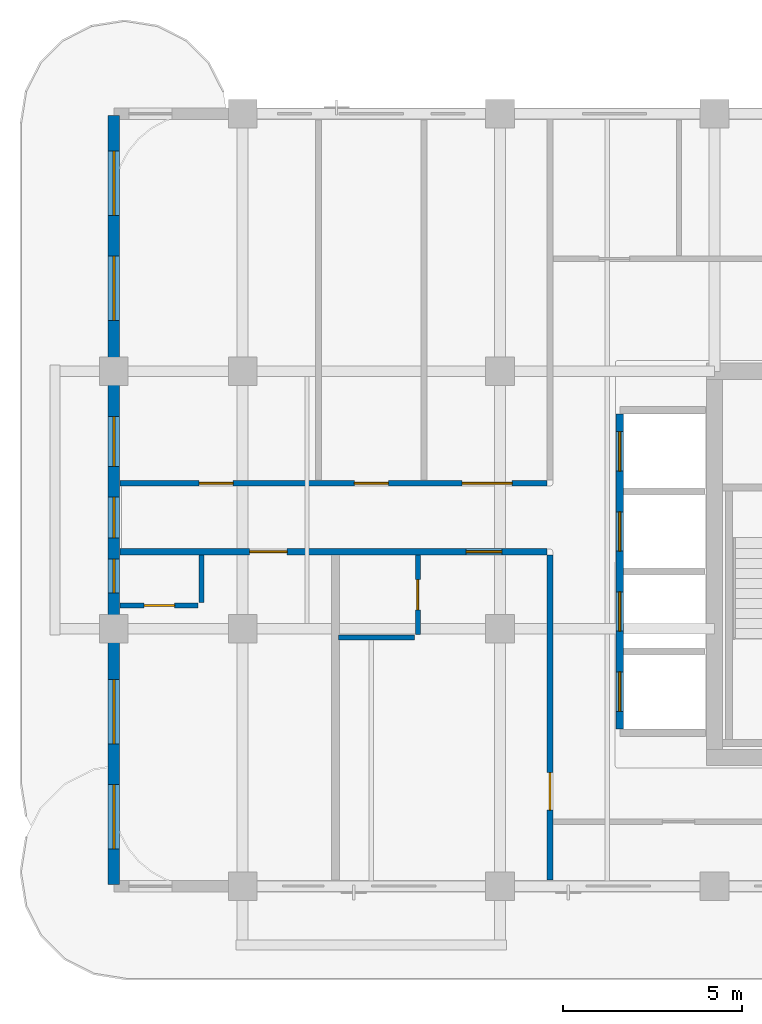
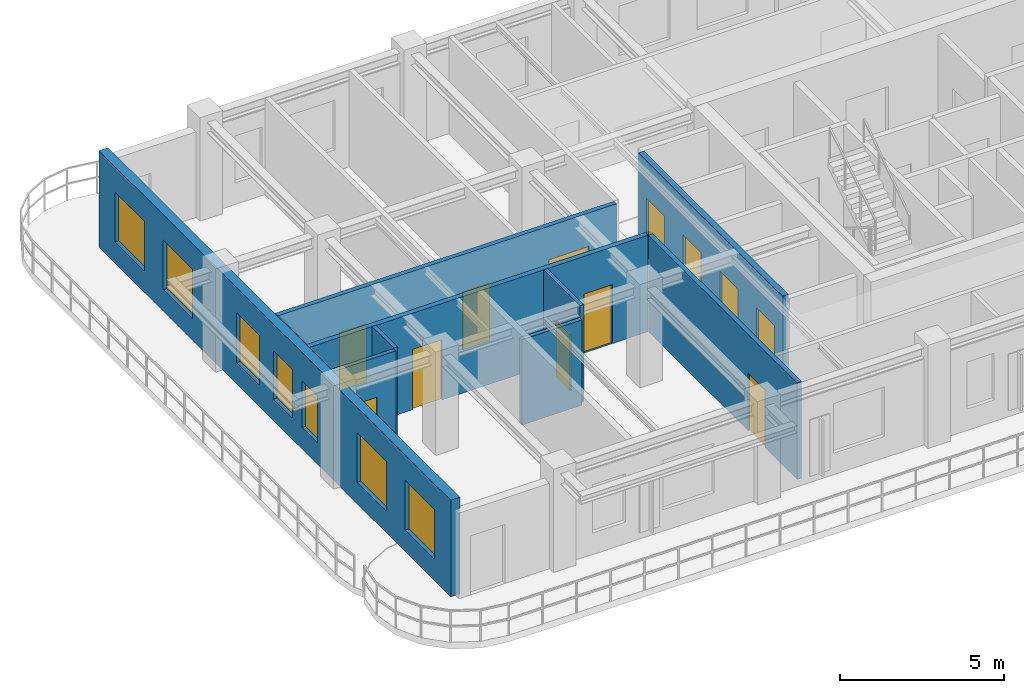
# One storey, part 2 of 8: 12 doors, 9 walls, 7 windows, 19 openings.
"""IFC4 building model written with IfcOpenShell, lengths in metres."""

from ifc_helpers import new_model, si_unit, derived_unit, direction, frame, frame_2d, origin, place, context, subcontext, project, spatial, rectangle, extrude, source, transform, mapped, material, layer, layer_set, type_object, type_shapes, element, fill, save


model = new_model("IFC4")

# Units and contexts
model_context = context("Model", 3, precision=1e-05, world=origin(), true_north=direction((0.0, 1.0)))
body_context = subcontext(model_context, "Body", "Model", "MODEL_VIEW")
ifc_project = project(units=[si_unit("LENGTHUNIT", "METRE"), si_unit("AREAUNIT", "SQUARE_METRE"), si_unit("VOLUMEUNIT", "CUBIC_METRE"), si_unit("PLANEANGLEUNIT", "RADIAN"), si_unit("MASSUNIT", "GRAM", prefix="KILO"), si_unit("THERMODYNAMICTEMPERATUREUNIT", "KELVIN"), si_unit("POWERUNIT", "WATT"), derived_unit("THERMALTRANSMITTANCEUNIT", [(si_unit("POWERUNIT", "WATT"), 1), (si_unit("AREAUNIT", "SQUARE_METRE"), -1), (si_unit("THERMODYNAMICTEMPERATUREUNIT", "KELVIN"), -1)])], contexts=[model_context])

# Site, building, storey
site_placement = place(None, origin())
site = spatial("IfcSite", under=ifc_project, at=site_placement, CompositionType="ELEMENT")
building_placement = place(site_placement, origin())
building = spatial("IfcBuilding", under=site, at=building_placement, Name="Zahravan Archway Hotel and Residences", CompositionType="ELEMENT")
storey_placement = place(building_placement, frame((0.0, 0.0, 263.5)))
storey = spatial("IfcBuildingStorey", under=building, at=storey_placement, Name="L66", CompositionType="ELEMENT", Elevation=263.5)

# Wall, openings, windows
ifc_material_1 = material(Name="Agra Buff Sandstone & Insulated Backup", Category="masonry")
ifc_layer_1 = layer(ifc_material_1, 0.320068359375, Name="Agra Buff Sandstone & Insulated Backup", Category="masonry")
ifc_layer_set_1 = layer_set([ifc_layer_1], Name="Agra Buff Sandstone & Insulated Backup")
wall_type_1 = type_object("IfcWallType", Name="EW-SAND-320", PredefinedType="SOLIDWALL", material=ifc_layer_set_1)
wall_1_placement = place(storey_placement, frame((18.0, 0.050048828125, 0.0), z_axis=(0.0, 0.0, 1.0), x_axis=(0.0, 1.0, 0.0)))
wall_1 = element("IfcWall", 1, at=wall_1_placement, inside=storey, type_object=wall_type_1, Name="L66 Exterior Sandstone Wall WA-W", PredefinedType="SOLIDWALL", context=body_context, shape_type="SweptSolid", body=[
    extrude(rectangle(XDim=21.5, YDim=0.320068359375, at=frame_2d((10.75, 0.0))), origin(), (0.0, 0.0, 1.0), 3.60009765625),
])
opening_1_placement = place(wall_1_placement, frame((0.989990234375, 0.0, 0.800048828125)))
opening_1 = element("IfcOpeningElement", 2, at=opening_1_placement, cuts=wall_1, Name="Opening W-02", PredefinedType="OPENING", context=body_context, shape_type="SweptSolid", body=[
    extrude(rectangle(XDim=1.800048828125, YDim=1.85009765625, at=frame_2d((0.89990234375, 0.925048828125))), frame((0.0, 0.169921875, 0.0), z_axis=(0.0, -1.0, 0.0), x_axis=(1.0, 0.0, 0.0)), (0.0, 0.0, 1.0), 0.340087890625),
])
opening_2_placement = place(wall_1_placement, frame((3.929931640625, 0.0, 0.800048828125)))
opening_2 = element("IfcOpeningElement", 3, at=opening_2_placement, cuts=wall_1, Name="Opening W-02", PredefinedType="OPENING", context=body_context, shape_type="SweptSolid", body=[
    extrude(rectangle(XDim=1.800048828125, YDim=1.85009765625, at=frame_2d((0.89990234375, 0.925048828125))), frame((0.0, 0.169921875, 0.0), z_axis=(0.0, -1.0, 0.0), x_axis=(1.0, 0.0, 0.0)), (0.0, 0.0, 1.0), 0.340087890625),
])
opening_3_placement = place(wall_1_placement, frame((8.14599609375, 0.0, 0.800048828125)))
opening_3 = element("IfcOpeningElement", 4, at=opening_3_placement, cuts=wall_1, Name="Opening W-04", PredefinedType="OPENING", context=body_context, shape_type="SweptSolid", body=[
    extrude(rectangle(XDim=0.949951171875, YDim=1.75, at=frame_2d((0.47509765625, 0.875))), frame((0.0, 0.169921875, 0.0), z_axis=(0.0, -1.0, 0.0), x_axis=(1.0, 0.0, 0.0)), (0.0, 0.0, 1.0), 0.340087890625),
])
opening_4_placement = place(wall_1_placement, frame((9.68505859375, 0.0, 0.800048828125)))
opening_4 = element("IfcOpeningElement", 5, at=opening_4_placement, cuts=wall_1, Name="Opening W-05", PredefinedType="OPENING", context=body_context, shape_type="SweptSolid", body=[
    extrude(rectangle(XDim=1.14990234375, YDim=1.800048828125, at=frame_2d((0.574951171875, 0.89990234375))), frame((0.0, 0.169921875, 0.0), z_axis=(0.0, -1.0, 0.0), x_axis=(1.0, 0.0, 0.0)), (0.0, 0.0, 1.0), 0.340087890625),
])
opening_5_placement = place(wall_1_placement, frame((11.68896484375, 0.0, 0.800048828125)))
opening_5 = element("IfcOpeningElement", 6, at=opening_5_placement, cuts=wall_1, Name="Opening W-03", PredefinedType="OPENING", context=body_context, shape_type="SweptSolid", body=[
    extrude(rectangle(XDim=1.39990234375, YDim=1.85009765625, at=frame_2d((0.699951171875, 0.925048828125))), frame((0.0, 0.169921875, 0.0), z_axis=(0.0, -1.0, 0.0), x_axis=(1.0, 0.0, 0.0)), (0.0, 0.0, 1.0), 0.340087890625),
])
opening_6_placement = place(wall_1_placement, frame((15.77001953125, 0.0, 0.800048828125)))
opening_6 = element("IfcOpeningElement", 7, at=opening_6_placement, cuts=wall_1, Name="Opening W-02", PredefinedType="OPENING", context=body_context, shape_type="SweptSolid", body=[
    extrude(rectangle(XDim=1.800048828125, YDim=1.85009765625, at=frame_2d((0.89990234375, 0.925048828125))), frame((0.0, 0.169921875, 0.0), z_axis=(0.0, -1.0, 0.0), x_axis=(1.0, 0.0, 0.0)), (0.0, 0.0, 1.0), 0.340087890625),
])
opening_7_placement = place(wall_1_placement, frame((18.7099609375, 0.0, 0.800048828125)))
opening_7 = element("IfcOpeningElement", 8, at=opening_7_placement, cuts=wall_1, Name="Opening W-02", PredefinedType="OPENING", context=body_context, shape_type="SweptSolid", body=[
    extrude(rectangle(XDim=1.800048828125, YDim=1.85009765625, at=frame_2d((0.89990234375, 0.925048828125))), frame((0.0, 0.169921875, 0.0), z_axis=(0.0, -1.0, 0.0), x_axis=(1.0, 0.0, 0.0)), (0.0, 0.0, 1.0), 0.340087890625),
])
ifc_material_2 = material(Name="Bronze-Anodized Thermal-Break Aluminium & Low-E Glass", Category="aluminium")
window_type_1 = type_object("IfcWindowType", Name="WIN-TWR-1400", PartitioningType="SINGLE_PANEL", PredefinedType="WINDOW", material=ifc_material_2)
shared_shape_1 = source(origin(), body_context, "Body", "SweptSolid", [
    extrude(rectangle(XDim=1.39990234375, YDim=1.85009765625, at=frame_2d((0.699951171875, 0.925048828125))), frame((0.0, 0.030029296875, 0.0), z_axis=(0.0, -1.0, 0.0), x_axis=(1.0, 0.0, 0.0)), (0.0, 0.0, 1.0), 0.06005859375),
])
type_shapes(window_type_1, [shared_shape_1])
window_1_placement = place(opening_5_placement, origin())
window_1 = element("IfcWindow", 9, at=window_1_placement, inside=storey, type_object=window_type_1, Name="L66 Loggia Window 21", OverallHeight=1.85009765625, OverallWidth=1.39990234375, PartitioningType="SINGLE_PANEL", PredefinedType="WINDOW", context=body_context, shape_type="MappedRepresentation", body=[
    mapped(shared_shape_1, transform((0.0, 0.0, 0.0), scale=1.0)),
])
fill(opening_5, window_1)
window_type_2 = type_object("IfcWindowType", Name="WIN-NAR-950", PartitioningType="SINGLE_PANEL", PredefinedType="WINDOW", material=ifc_material_2)
shared_shape_2 = source(origin(), body_context, "Body", "SweptSolid", [
    extrude(rectangle(XDim=0.949951171875, YDim=1.75, at=frame_2d((0.47509765625, 0.875))), frame((0.0, 0.030029296875, 0.0), z_axis=(0.0, -1.0, 0.0), x_axis=(1.0, 0.0, 0.0)), (0.0, 0.0, 1.0), 0.06005859375),
])
type_shapes(window_type_2, [shared_shape_2])
window_2_placement = place(opening_3_placement, origin())
window_2 = element("IfcWindow", 10, at=window_2_placement, inside=storey, type_object=window_type_2, Name="L66 Loggia Window 19", OverallHeight=1.75, OverallWidth=0.949951171875, PartitioningType="SINGLE_PANEL", PredefinedType="WINDOW", context=body_context, shape_type="MappedRepresentation", body=[
    mapped(shared_shape_2, transform((0.0, 0.0, 0.0), scale=1.0)),
])
fill(opening_3, window_2)
window_type_3 = type_object("IfcWindowType", Name="WIN-TWR-1800", PartitioningType="DOUBLE_PANEL_VERTICAL", PredefinedType="WINDOW", material=ifc_material_2)
shared_shape_3 = source(origin(), body_context, "Body", "SweptSolid", [
    extrude(rectangle(XDim=1.800048828125, YDim=1.85009765625, at=frame_2d((0.89990234375, 0.925048828125))), frame((0.0, 0.030029296875, 0.0), z_axis=(0.0, -1.0, 0.0), x_axis=(1.0, 0.0, 0.0)), (0.0, 0.0, 1.0), 0.06005859375),
])
type_shapes(window_type_3, [shared_shape_3])
window_3_placement = place(opening_1_placement, origin())
window_3 = element("IfcWindow", 11, at=window_3_placement, inside=storey, type_object=window_type_3, Name="L66 Loggia Window 17", OverallHeight=1.85009765625, OverallWidth=1.800048828125, PartitioningType="DOUBLE_PANEL_VERTICAL", PredefinedType="WINDOW", context=body_context, shape_type="MappedRepresentation", body=[
    mapped(shared_shape_3, transform((0.0, 0.0, 0.0), scale=1.0)),
])
fill(opening_1, window_3)
window_4_placement = place(opening_2_placement, origin())
window_4 = element("IfcWindow", 12, at=window_4_placement, inside=storey, type_object=window_type_3, Name="L66 Loggia Window 18", OverallHeight=1.85009765625, OverallWidth=1.800048828125, PartitioningType="DOUBLE_PANEL_VERTICAL", PredefinedType="WINDOW", context=body_context, shape_type="MappedRepresentation", body=[
    mapped(shared_shape_3, transform((0.0, 0.0, 0.0), scale=1.0)),
])
fill(opening_2, window_4)
window_5_placement = place(opening_6_placement, origin())
window_5 = element("IfcWindow", 13, at=window_5_placement, inside=storey, type_object=window_type_3, Name="L66 Loggia Window 22", OverallHeight=1.85009765625, OverallWidth=1.800048828125, PartitioningType="DOUBLE_PANEL_VERTICAL", PredefinedType="WINDOW", context=body_context, shape_type="MappedRepresentation", body=[
    mapped(shared_shape_3, transform((0.0, 0.0, 0.0), scale=1.0)),
])
fill(opening_6, window_5)
window_6_placement = place(opening_7_placement, origin())
window_6 = element("IfcWindow", 14, at=window_6_placement, inside=storey, type_object=window_type_3, Name="L66 Loggia Window 23", OverallHeight=1.85009765625, OverallWidth=1.800048828125, PartitioningType="DOUBLE_PANEL_VERTICAL", PredefinedType="WINDOW", context=body_context, shape_type="MappedRepresentation", body=[
    mapped(shared_shape_3, transform((0.0, 0.0, 0.0), scale=1.0)),
])
fill(opening_7, window_6)
window_type_4 = type_object("IfcWindowType", Name="WIN-TWR-1150", PartitioningType="SINGLE_PANEL", PredefinedType="WINDOW", material=ifc_material_2)
shared_shape_4 = source(origin(), body_context, "Body", "SweptSolid", [
    extrude(rectangle(XDim=1.14990234375, YDim=1.800048828125, at=frame_2d((0.574951171875, 0.89990234375))), frame((0.0, 0.030029296875, 0.0), z_axis=(0.0, -1.0, 0.0), x_axis=(1.0, 0.0, 0.0)), (0.0, 0.0, 1.0), 0.06005859375),
])
type_shapes(window_type_4, [shared_shape_4])
window_7_placement = place(opening_4_placement, origin())
window_7 = element("IfcWindow", 15, at=window_7_placement, inside=storey, type_object=window_type_4, Name="L66 Loggia Window 20", OverallHeight=1.800048828125, OverallWidth=1.14990234375, PartitioningType="SINGLE_PANEL", PredefinedType="WINDOW", context=body_context, shape_type="MappedRepresentation", body=[
    mapped(shared_shape_4, transform((0.0, 0.0, 0.0), scale=1.0)),
])
fill(opening_4, window_7)

# Wall, openings, doors
ifc_material_3 = material(Name="Fire-Rated Gypsum & Concrete Block", Category="concrete")
ifc_layer_2 = layer(ifc_material_3, 0.159912109375, Name="Fire-Rated Gypsum & Concrete Block", Category="concrete")
ifc_layer_set_2 = layer_set([ifc_layer_2], Name="Fire-Rated Gypsum & Concrete Block")
wall_type_2 = type_object("IfcWallType", Name="PW-CORR-160", PredefinedType="PARTITIONING", material=ifc_layer_set_2)
wall_2_placement = place(storey_placement, frame((18.16796875, 11.27001953125, 0.0), z_axis=(0.0, 0.0, 1.0), x_axis=(1.0, 0.0, 0.0)))
wall_2 = element("IfcWall", 16, at=wall_2_placement, inside=storey, type_object=wall_type_2, Name="L66 Partition WA-CN", PredefinedType="PARTITIONING", context=body_context, shape_type="SweptSolid", body=[
    extrude(rectangle(XDim=11.942138671875, YDim=0.159912109375, at=frame_2d((5.97119140625, 0.0))), origin(), (0.0, 0.0, 1.0), 3.60009765625),
])
opening_8_placement = place(wall_2_placement, frame((2.217041015625, 0.0, 0.0)))
opening_8 = element("IfcOpeningElement", 17, at=opening_8_placement, cuts=wall_2, Name="Opening D-I1", PredefinedType="OPENING", context=body_context, shape_type="SweptSolid", body=[
    extrude(rectangle(XDim=0.949951171875, YDim=2.14990234375, at=frame_2d((0.47509765625, 1.074951171875))), frame((0.0, 0.08984375, 0.0), z_axis=(0.0, -1.0, 0.0), x_axis=(1.0, 0.0, 0.0)), (0.0, 0.0, 1.0), 0.179931640625),
])
opening_9_placement = place(wall_2_placement, frame((6.556884765625, 0.0, 0.0)))
opening_9 = element("IfcOpeningElement", 18, at=opening_9_placement, cuts=wall_2, Name="Opening D-I1", PredefinedType="OPENING", context=body_context, shape_type="SweptSolid", body=[
    extrude(rectangle(XDim=0.949951171875, YDim=2.14990234375, at=frame_2d((0.47509765625, 1.074951171875))), frame((0.0, 0.08984375, 0.0), z_axis=(0.0, -1.0, 0.0), x_axis=(1.0, 0.0, 0.0)), (0.0, 0.0, 1.0), 0.179931640625),
])
opening_10_placement = place(wall_2_placement, frame((9.572021484375, 0.0, 0.0)))
opening_10 = element("IfcOpeningElement", 19, at=opening_10_placement, cuts=wall_2, Name="Opening D-P1", PredefinedType="OPENING", context=body_context, shape_type="SweptSolid", body=[
    extrude(rectangle(XDim=1.39990234375, YDim=2.35009765625, at=frame_2d((0.699951171875, 1.175048828125))), frame((0.0, 0.08984375, 0.0), z_axis=(0.0, -1.0, 0.0), x_axis=(1.0, 0.0, 0.0)), (0.0, 0.0, 1.0), 0.179931640625),
])
ifc_material_4 = material(Name="Bronze-Anodized Glazed Aluminium", Category="aluminium")
door_type_1 = type_object("IfcDoorType", Name="ID-PUBLIC-1400", OperationType="DOUBLE_DOOR_SINGLE_SWING", PredefinedType="DOOR", material=ifc_material_4)
shared_shape_5 = source(origin(), body_context, "Body", "SweptSolid", [
    extrude(rectangle(XDim=1.39990234375, YDim=2.35009765625, at=frame_2d((0.699951171875, 1.175048828125))), frame((0.0, 0.02490234375, 0.0), z_axis=(0.0, -1.0, 0.0), x_axis=(1.0, 0.0, 0.0)), (0.0, 0.0, 1.0), 0.050048828125),
])
type_shapes(door_type_1, [shared_shape_5])
door_1_placement = place(opening_10_placement, origin())
door_1 = element("IfcDoor", 20, at=door_1_placement, inside=storey, type_object=door_type_1, Name="L66 North Dining Door", OperationType="DOUBLE_DOOR_SINGLE_SWING", OverallHeight=2.35009765625, OverallWidth=1.39990234375, PredefinedType="DOOR", context=body_context, shape_type="MappedRepresentation", body=[
    mapped(shared_shape_5, transform((0.0, 0.0, 0.0), scale=1.0)),
])
fill(opening_10, door_1)
ifc_material_5 = material(Name="Hardwood Veneer Timber", Category="wood")
door_type_2 = type_object("IfcDoorType", Name="ID-INT-950", OperationType="NOTDEFINED", PredefinedType="DOOR", material=ifc_material_5)
shared_shape_6 = source(origin(), body_context, "Body", "SweptSolid", [
    extrude(rectangle(XDim=0.949951171875, YDim=2.14990234375, at=frame_2d((0.47509765625, 1.074951171875))), frame((0.0, 0.02490234375, 0.0), z_axis=(0.0, -1.0, 0.0), x_axis=(1.0, 0.0, 0.0)), (0.0, 0.0, 1.0), 0.050048828125),
])
type_shapes(door_type_2, [shared_shape_6])
door_2_placement = place(opening_8_placement, origin())
door_2 = element("IfcDoor", 21, at=door_2_placement, inside=storey, type_object=door_type_2, Name="L66 North Study Door", OperationType="SINGLE_SWING_LEFT", OverallHeight=2.14990234375, OverallWidth=0.949951171875, PredefinedType="DOOR", context=body_context, shape_type="MappedRepresentation", body=[
    mapped(shared_shape_6, transform((0.0, 0.0, 0.0), scale=1.0)),
])
fill(opening_8, door_2)
door_3_placement = place(opening_9_placement, origin())
door_3 = element("IfcDoor", 22, at=door_3_placement, inside=storey, type_object=door_type_2, Name="L66 North Clinic Door", OperationType="SINGLE_SWING_RIGHT", OverallHeight=2.14990234375, OverallWidth=0.949951171875, PredefinedType="DOOR", context=body_context, shape_type="MappedRepresentation", body=[
    mapped(shared_shape_6, transform((0.0, 0.0, 0.0), scale=1.0)),
])
fill(opening_9, door_3)

# Wall, opening, door
wall_3_placement = place(storey_placement, frame((30.199951171875, 0.16796875, 0.0), z_axis=(0.0, 0.0, 1.0), x_axis=(0.0, 1.0, 0.0)))
wall_3 = element("IfcWall", 23, at=wall_3_placement, inside=storey, type_object=wall_type_2, Name="L66 Partition WA-SRW", PredefinedType="PARTITIONING", context=body_context, shape_type="SweptSolid", body=[
    extrude(rectangle(XDim=9.092041015625, YDim=0.159912109375, at=frame_2d((4.5458984375, 0.0))), origin(), (0.0, 0.0, 1.0), 3.60009765625),
])
opening_11_placement = place(wall_3_placement, frame((1.95703125, 0.0, 0.0)))
opening_11 = element("IfcOpeningElement", 24, at=opening_11_placement, cuts=wall_3, Name="Opening FD-L2", PredefinedType="OPENING", context=body_context, shape_type="SweptSolid", body=[
    extrude(rectangle(XDim=1.050048828125, YDim=2.14990234375, at=frame_2d((0.52490234375, 1.074951171875))), frame((0.0, 0.08984375, 0.0), z_axis=(0.0, -1.0, 0.0), x_axis=(1.0, 0.0, 0.0)), (0.0, 0.0, 1.0), 0.179931640625),
])
ifc_material_6 = material(Name="Fire-Rated Painted Steel", Category="steel")
door_type_3 = type_object("IfcDoorType", Name="FD-LOBBY-1100", OperationType="NOTDEFINED", PredefinedType="DOOR", material=ifc_material_6)
shared_shape_7 = source(origin(), body_context, "Body", "SweptSolid", [
    extrude(rectangle(XDim=1.050048828125, YDim=2.14990234375, at=frame_2d((0.52490234375, 1.074951171875))), frame((0.0, 0.02490234375, 0.0), z_axis=(0.0, -1.0, 0.0), x_axis=(1.0, 0.0, 0.0)), (0.0, 0.0, 1.0), 0.050048828125),
])
type_shapes(door_type_3, [shared_shape_7])
door_4_placement = place(opening_11_placement, origin())
door_4 = element("IfcDoor", 25, at=door_4_placement, inside=storey, type_object=door_type_3, Name="L66 South Riser Corridor Door", OperationType="SINGLE_SWING_RIGHT", OverallHeight=2.14990234375, OverallWidth=1.050048828125, PredefinedType="DOOR", context=body_context, shape_type="MappedRepresentation", body=[
    mapped(shared_shape_7, transform((0.0, 0.0, 0.0), scale=1.0)),
])
fill(opening_11, door_4)

# Wall, openings, doors
ifc_layer_3 = layer(ifc_material_3, 0.179931640625, Name="Fire-Rated Gypsum & Concrete Block", Category="concrete")
ifc_layer_set_3 = layer_set([ifc_layer_3], Name="Fire-Rated Gypsum & Concrete Block")
wall_type_3 = type_object("IfcWallType", Name="PW-CORR-180", PredefinedType="PARTITIONING", material=ifc_layer_set_3)
wall_4_placement = place(storey_placement, frame((18.16796875, 9.35009765625, 0.0), z_axis=(0.0, 0.0, 1.0), x_axis=(1.0, 0.0, 0.0)))
wall_4 = element("IfcWall", 26, at=wall_4_placement, inside=storey, type_object=wall_type_3, Name="L66 Partition WA-CS", PredefinedType="PARTITIONING", context=body_context, shape_type="SweptSolid", body=[
    extrude(rectangle(XDim=11.942138671875, YDim=0.179931640625, at=frame_2d((5.97119140625, 0.0))), origin(), (0.0, 0.0, 1.0), 3.60009765625),
])
opening_12_placement = place(wall_4_placement, frame((3.632080078125, 0.0, 0.0)))
opening_12 = element("IfcOpeningElement", 27, at=opening_12_placement, cuts=wall_4, Name="Opening D-U1", PredefinedType="OPENING", context=body_context, shape_type="SweptSolid", body=[
    extrude(rectangle(XDim=1.050048828125, YDim=2.25, at=frame_2d((0.52490234375, 1.125))), frame((0.0, 0.10009765625, 0.0), z_axis=(0.0, -1.0, 0.0), x_axis=(1.0, 0.0, 0.0)), (0.0, 0.0, 1.0), 0.199951171875),
])
opening_13_placement = place(wall_4_placement, frame((9.681884765625, 0.0, 0.0)))
opening_13 = element("IfcOpeningElement", 28, at=opening_13_placement, cuts=wall_4, Name="Opening D-U2", PredefinedType="OPENING", context=body_context, shape_type="SweptSolid", body=[
    extrude(rectangle(XDim=1.0, YDim=2.199951171875, at=frame_2d((0.5, 1.10009765625))), frame((0.0, 0.10009765625, 0.0), z_axis=(0.0, -1.0, 0.0), x_axis=(1.0, 0.0, 0.0)), (0.0, 0.0, 1.0), 0.199951171875),
])
door_type_4 = type_object("IfcDoorType", Name="ID-UNIT-1050", OperationType="NOTDEFINED", PredefinedType="DOOR", material=ifc_material_5)
shared_shape_8 = source(origin(), body_context, "Body", "SweptSolid", [
    extrude(rectangle(XDim=1.050048828125, YDim=2.25, at=frame_2d((0.52490234375, 1.125))), frame((0.0, 0.02490234375, 0.0), z_axis=(0.0, -1.0, 0.0), x_axis=(1.0, 0.0, 0.0)), (0.0, 0.0, 1.0), 0.050048828125),
])
type_shapes(door_type_4, [shared_shape_8])
door_5_placement = place(opening_12_placement, origin())
door_5 = element("IfcDoor", 29, at=door_5_placement, inside=storey, type_object=door_type_4, Name="L66 Hotel Guestroom 92 Entrance Door", OperationType="SINGLE_SWING_RIGHT", OverallHeight=2.25, OverallWidth=1.050048828125, PredefinedType="DOOR", context=body_context, shape_type="MappedRepresentation", body=[
    mapped(shared_shape_8, transform((0.0, 0.0, 0.0), scale=1.0)),
])
fill(opening_12, door_5)
door_type_5 = type_object("IfcDoorType", Name="ID-UNIT-1000", OperationType="NOTDEFINED", PredefinedType="DOOR", material=ifc_material_5)
shared_shape_9 = source(origin(), body_context, "Body", "SweptSolid", [
    extrude(rectangle(XDim=1.0, YDim=2.199951171875, at=frame_2d((0.5, 1.10009765625))), frame((0.0, 0.02490234375, 0.0), z_axis=(0.0, -1.0, 0.0), x_axis=(1.0, 0.0, 0.0)), (0.0, 0.0, 1.0), 0.050048828125),
])
type_shapes(door_type_5, [shared_shape_9])
door_6_placement = place(opening_13_placement, origin())
door_6 = element("IfcDoor", 30, at=door_6_placement, inside=storey, type_object=door_type_5, Name="L66 Hotel Guestroom 93 Entrance Door", OperationType="SINGLE_SWING_RIGHT", OverallHeight=2.199951171875, OverallWidth=1.0, PredefinedType="DOOR", context=body_context, shape_type="MappedRepresentation", body=[
    mapped(shared_shape_9, transform((0.0, 0.0, 0.0), scale=1.0)),
])
fill(opening_13, door_6)

ifc_layer_4 = layer(ifc_material_3, 0.199951171875, Name="Fire-Rated Gypsum & Concrete Block", Category="concrete")
ifc_layer_set_4 = layer_set([ifc_layer_4], Name="Fire-Rated Gypsum & Concrete Block")
wall_type_4 = type_object("IfcWallType", Name="PW-SHAFT-200", PredefinedType="PARTITIONING", material=ifc_layer_set_4)
wall_5_placement = place(storey_placement, frame((32.14990234375, 4.389892578125, 0.0), z_axis=(0.0, 0.0, 1.0), x_axis=(0.0, 1.0, 0.0)))
wall_5 = element("IfcWall", 31, at=wall_5_placement, inside=storey, type_object=wall_type_4, Name="L66 Partition B3-W", PredefinedType="PARTITIONING", context=body_context, shape_type="SweptSolid", body=[
    extrude(rectangle(XDim=8.820068359375, YDim=0.199951171875, at=frame_2d((4.41015625, 0.0))), origin(), (0.0, 0.0, 1.0), 3.60009765625),
])
opening_14_placement = place(wall_5_placement, frame((0.5, 0.0, 0.0)))
opening_14 = element("IfcOpeningElement", 32, at=opening_14_placement, cuts=wall_5, Name="Opening LD", PredefinedType="OPENING", context=body_context, shape_type="SweptSolid", body=[
    extrude(rectangle(XDim=1.10009765625, YDim=2.199951171875, at=frame_2d((0.550048828125, 1.10009765625))), frame((0.0, 0.10986328125, 0.0), z_axis=(0.0, -1.0, 0.0), x_axis=(1.0, 0.0, 0.0)), (0.0, 0.0, 1.0), 0.219970703125),
])
opening_15_placement = place(wall_5_placement, frame((2.739990234375, 0.0, 0.0)))
opening_15 = element("IfcOpeningElement", 33, at=opening_15_placement, cuts=wall_5, Name="Opening LD", PredefinedType="OPENING", context=body_context, shape_type="SweptSolid", body=[
    extrude(rectangle(XDim=1.10009765625, YDim=2.199951171875, at=frame_2d((0.550048828125, 1.10009765625))), frame((0.0, 0.10986328125, 0.0), z_axis=(0.0, -1.0, 0.0), x_axis=(1.0, 0.0, 0.0)), (0.0, 0.0, 1.0), 0.219970703125),
])
opening_16_placement = place(wall_5_placement, frame((4.97998046875, 0.0, 0.0)))
opening_16 = element("IfcOpeningElement", 34, at=opening_16_placement, cuts=wall_5, Name="Opening LD", PredefinedType="OPENING", context=body_context, shape_type="SweptSolid", body=[
    extrude(rectangle(XDim=1.10009765625, YDim=2.199951171875, at=frame_2d((0.550048828125, 1.10009765625))), frame((0.0, 0.10986328125, 0.0), z_axis=(0.0, -1.0, 0.0), x_axis=(1.0, 0.0, 0.0)), (0.0, 0.0, 1.0), 0.219970703125),
])
opening_17_placement = place(wall_5_placement, frame((7.219970703125, 0.0, 0.0)))
opening_17 = element("IfcOpeningElement", 35, at=opening_17_placement, cuts=wall_5, Name="Opening LD", PredefinedType="OPENING", context=body_context, shape_type="SweptSolid", body=[
    extrude(rectangle(XDim=1.10009765625, YDim=2.199951171875, at=frame_2d((0.550048828125, 1.10009765625))), frame((0.0, 0.10986328125, 0.0), z_axis=(0.0, -1.0, 0.0), x_axis=(1.0, 0.0, 0.0)), (0.0, 0.0, 1.0), 0.219970703125),
])
ifc_material_7 = material(Name="Brushed Stainless Steel", Category="steel")
door_type_6 = type_object("IfcDoorType", Name="DR-LIFT-LD", OperationType="SLIDING_TO_LEFT", PredefinedType="DOOR", material=ifc_material_7)
shared_shape_10 = source(origin(), body_context, "Body", "SweptSolid", [
    extrude(rectangle(XDim=1.10009765625, YDim=2.199951171875, at=frame_2d((0.550048828125, 1.10009765625))), frame((0.0, 0.02490234375, 0.0), z_axis=(0.0, -1.0, 0.0), x_axis=(1.0, 0.0, 0.0)), (0.0, 0.0, 1.0), 0.050048828125),
])
type_shapes(door_type_6, [shared_shape_10])
door_7_placement = place(opening_14_placement, origin())
door_7 = element("IfcDoor", 36, at=door_7_placement, inside=storey, type_object=door_type_6, Name="L66 Lift LP-7 Sliding Landing Door", OperationType="SLIDING_TO_LEFT", OverallHeight=2.199951171875, OverallWidth=1.10009765625, PredefinedType="DOOR", context=body_context, shape_type="MappedRepresentation", body=[
    mapped(shared_shape_10, transform((0.0, 0.0, 0.0), scale=1.0)),
])
fill(opening_14, door_7)
door_8_placement = place(opening_15_placement, origin())
door_8 = element("IfcDoor", 37, at=door_8_placement, inside=storey, type_object=door_type_6, Name="L66 Lift LP-8 Sliding Landing Door", OperationType="SLIDING_TO_LEFT", OverallHeight=2.199951171875, OverallWidth=1.10009765625, PredefinedType="DOOR", context=body_context, shape_type="MappedRepresentation", body=[
    mapped(shared_shape_10, transform((0.0, 0.0, 0.0), scale=1.0)),
])
fill(opening_15, door_8)
door_9_placement = place(opening_16_placement, origin())
door_9 = element("IfcDoor", 38, at=door_9_placement, inside=storey, type_object=door_type_6, Name="L66 Lift LP-9 Sliding Landing Door", OperationType="SLIDING_TO_LEFT", OverallHeight=2.199951171875, OverallWidth=1.10009765625, PredefinedType="DOOR", context=body_context, shape_type="MappedRepresentation", body=[
    mapped(shared_shape_10, transform((0.0, 0.0, 0.0), scale=1.0)),
])
fill(opening_16, door_9)
door_10_placement = place(opening_17_placement, origin())
door_10 = element("IfcDoor", 39, at=door_10_placement, inside=storey, type_object=door_type_6, Name="L66 Lift LP-10 Sliding Landing Door", OperationType="SLIDING_TO_LEFT", OverallHeight=2.199951171875, OverallWidth=1.10009765625, PredefinedType="DOOR", context=body_context, shape_type="MappedRepresentation", body=[
    mapped(shared_shape_10, transform((0.0, 0.0, 0.0), scale=1.0)),
])
fill(opening_17, door_10)

# Wall
ifc_material_8 = material(Name="Moisture-Resistant Blockwork", Category="masonry")
ifc_layer_5 = layer(ifc_material_8, 0.139892578125, Name="Moisture-Resistant Blockwork", Category="masonry")
ifc_layer_set_5 = layer_set([ifc_layer_5], Name="Moisture-Resistant Blockwork")
wall_type_5 = type_object("IfcWallType", Name="PW-WET-140", PredefinedType="PARTITIONING", material=ifc_layer_set_5)
wall_6_placement = place(storey_placement, frame((20.449951171875, 7.93994140625, 0.0), z_axis=(0.0, 0.0, 1.0), x_axis=(0.0, 1.0, 0.0)))
element("IfcWall", 40, at=wall_6_placement, inside=storey, type_object=wall_type_5, Name="L66 Partition HKB-V92", PredefinedType="PARTITIONING", context=body_context, shape_type="SweptSolid", body=[
    extrude(rectangle(XDim=1.320068359375, YDim=0.139892578125, at=frame_2d((0.66015625, 0.0))), origin(), (0.0, 0.0, 1.0), 3.60009765625),
])

# Wall, opening, door
wall_7_placement = place(storey_placement, frame((18.16796875, 7.85009765625, 0.0), z_axis=(0.0, 0.0, 1.0), x_axis=(1.0, 0.0, 0.0)))
wall_7 = element("IfcWall", 41, at=wall_7_placement, inside=storey, type_object=wall_type_5, Name="L66 Partition HKB-H92", PredefinedType="PARTITIONING", context=body_context, shape_type="SweptSolid", body=[
    extrude(rectangle(XDim=2.192138671875, YDim=0.139892578125, at=frame_2d((1.09619140625, 0.0))), origin(), (0.0, 0.0, 1.0), 3.60009765625),
])
opening_18_placement = place(wall_7_placement, frame((0.681884765625, 0.0, 0.0)))
opening_18 = element("IfcOpeningElement", 42, at=opening_18_placement, cuts=wall_7, Name="Opening D-B1", PredefinedType="OPENING", context=body_context, shape_type="SweptSolid", body=[
    extrude(rectangle(XDim=0.85009765625, YDim=2.10009765625, at=frame_2d((0.425048828125, 1.050048828125))), frame((0.0, 0.080078125, 0.0), z_axis=(0.0, -1.0, 0.0), x_axis=(1.0, 0.0, 0.0)), (0.0, 0.0, 1.0), 0.159912109375),
])
door_type_7 = type_object("IfcDoorType", Name="ID-BATH-850", OperationType="NOTDEFINED", PredefinedType="DOOR", material=ifc_material_5)
shared_shape_11 = source(origin(), body_context, "Body", "SweptSolid", [
    extrude(rectangle(XDim=0.85009765625, YDim=2.10009765625, at=frame_2d((0.425048828125, 1.050048828125))), frame((0.0, 0.02490234375, 0.0), z_axis=(0.0, -1.0, 0.0), x_axis=(1.0, 0.0, 0.0)), (0.0, 0.0, 1.0), 0.050048828125),
])
type_shapes(door_type_7, [shared_shape_11])
door_11_placement = place(opening_18_placement, origin())
door_11 = element("IfcDoor", 43, at=door_11_placement, inside=storey, type_object=door_type_7, Name="L66 Guestroom 92 En-Suite Door", OperationType="SINGLE_SWING_RIGHT", OverallHeight=2.10009765625, OverallWidth=0.85009765625, PredefinedType="DOOR", context=body_context, shape_type="MappedRepresentation", body=[
    mapped(shared_shape_11, transform((0.0, 0.0, 0.0), scale=1.0)),
])
fill(opening_18, door_11)

wall_8_placement = place(storey_placement, frame((26.5, 7.0400390625, 0.0), z_axis=(0.0, 0.0, 1.0), x_axis=(0.0, 1.0, 0.0)))
wall_8 = element("IfcWall", 44, at=wall_8_placement, inside=storey, type_object=wall_type_5, Name="L66 Partition HKB-V93", PredefinedType="PARTITIONING", context=body_context, shape_type="SweptSolid", body=[
    extrude(rectangle(XDim=2.219970703125, YDim=0.139892578125, at=frame_2d((1.10986328125, 0.0))), origin(), (0.0, 0.0, 1.0), 3.60009765625),
])
opening_19_placement = place(wall_8_placement, frame((0.68505859375, 0.0, 0.0)))
opening_19 = element("IfcOpeningElement", 45, at=opening_19_placement, cuts=wall_8, Name="Opening D-B1", PredefinedType="OPENING", context=body_context, shape_type="SweptSolid", body=[
    extrude(rectangle(XDim=0.85009765625, YDim=2.10009765625, at=frame_2d((0.425048828125, 1.050048828125))), frame((0.0, 0.080078125, 0.0), z_axis=(0.0, -1.0, 0.0), x_axis=(1.0, 0.0, 0.0)), (0.0, 0.0, 1.0), 0.159912109375),
])
door_12_placement = place(opening_19_placement, origin())
door_12 = element("IfcDoor", 46, at=door_12_placement, inside=storey, type_object=door_type_7, Name="L66 Guestroom 93 En-Suite Door", OperationType="SINGLE_SWING_LEFT", OverallHeight=2.10009765625, OverallWidth=0.85009765625, PredefinedType="DOOR", context=body_context, shape_type="MappedRepresentation", body=[
    mapped(shared_shape_11, transform((0.0, 0.0, 0.0), scale=1.0)),
])
fill(opening_19, door_12)

# Wall
wall_9_placement = place(storey_placement, frame((24.2900390625, 6.949951171875, 0.0), z_axis=(0.0, 0.0, 1.0), x_axis=(1.0, 0.0, 0.0)))
element("IfcWall", 47, at=wall_9_placement, inside=storey, type_object=wall_type_5, Name="L66 Partition HKB-H93", PredefinedType="PARTITIONING", context=body_context, shape_type="SweptSolid", body=[
    extrude(rectangle(XDim=2.119873046875, YDim=0.139892578125, at=frame_2d((1.06005859375, 0.0))), origin(), (0.0, 0.0, 1.0), 3.18505859375),
])

save(model, "model.ifc")
